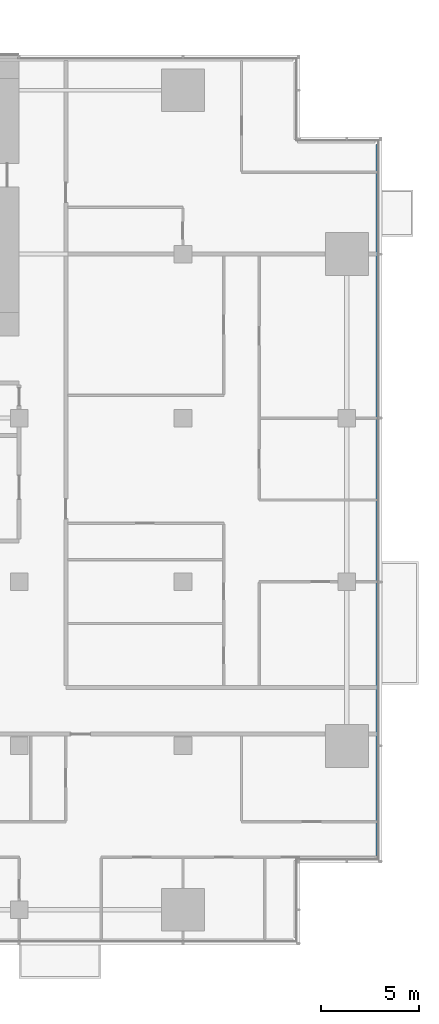
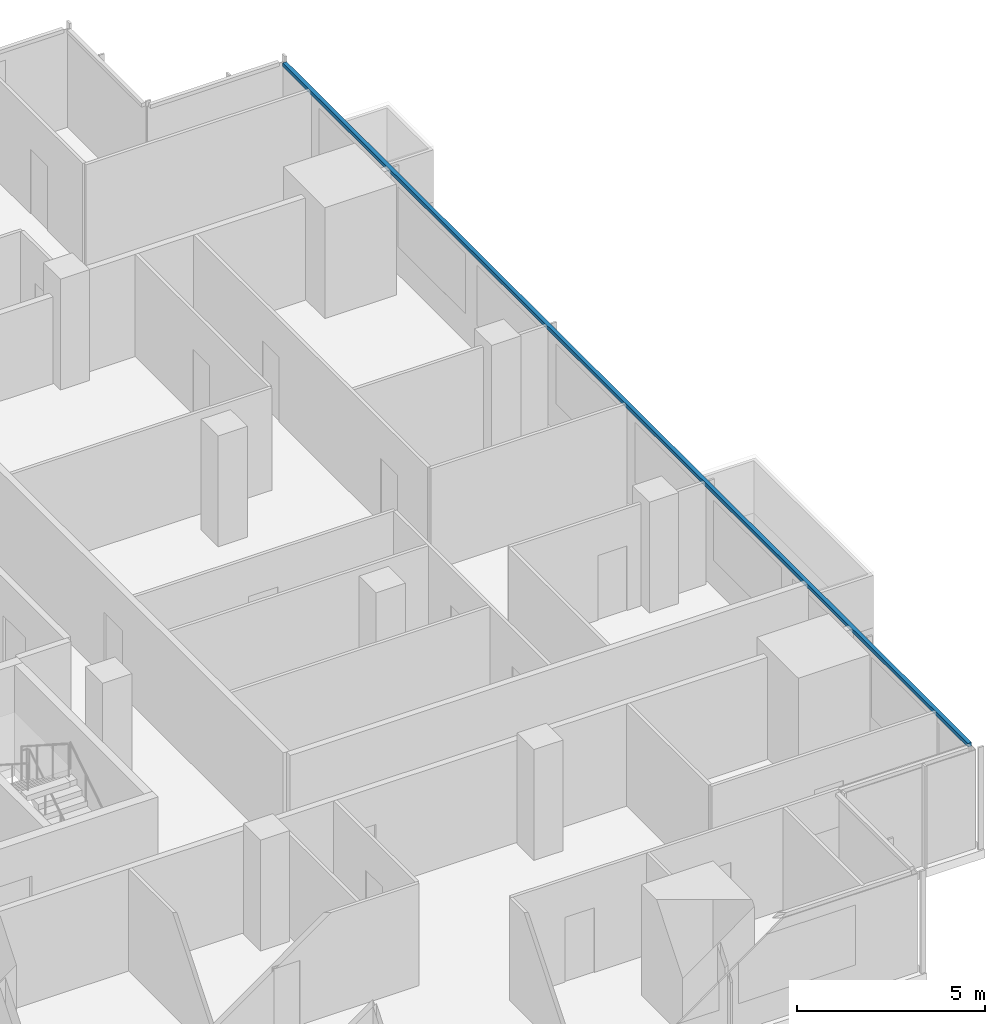
# One storey, part 12 of 26: 1 member, 1 element without a shape of its own.
"""IFC4 building model written with IfcOpenShell, lengths in metres."""

from ifc_helpers import new_model, si_unit, direction, frame, origin, origin_2d, place, context, subcontext, project, spatial, rectangle, extrude, material, material_profile, profile_set, type_object, element, aggregate, save


model = new_model("IFC4")

# Units and contexts
model_context = context("Model", 3, precision=1e-05, world=origin(), true_north=direction((0.0, 1.0)))
body_context = subcontext(model_context, "Body", "Model", "MODEL_VIEW")
ifc_project = project(units=[si_unit("LENGTHUNIT", "METRE"), si_unit("AREAUNIT", "SQUARE_METRE"), si_unit("VOLUMEUNIT", "CUBIC_METRE"), si_unit("PLANEANGLEUNIT", "RADIAN"), si_unit("MASSUNIT", "GRAM", prefix="KILO")], contexts=[model_context])

# Site, building, storey
site_placement = place(None, origin())
site = spatial("IfcSite", under=ifc_project, at=site_placement, CompositionType="ELEMENT")
building_placement = place(site_placement, origin())
building = spatial("IfcBuilding", under=site, at=building_placement, Name="Saffron Gate Tower", CompositionType="ELEMENT")
storey_placement = place(building_placement, frame((0.0, 0.0, 62.39990234375)))
storey = spatial("IfcBuildingStorey", under=building, at=storey_placement, Name="L14", CompositionType="ELEMENT", Elevation=62.39990234375)

# Curtain wall, member
ifc_material = material(Name="Aluminium, bronze anodised", Category="aluminium")
curtain_wall_type = type_object("IfcCurtainWallType", Name="CWS2 curtain wall side facades", PredefinedType="NOTDEFINED", material=ifc_material)
curtain_wall_placement = place(storey_placement, origin())
curtain_wall = element("IfcCurtainWall", 1, at=curtain_wall_placement, inside=storey, type_object=curtain_wall_type, Name="CWS2 run 4", PredefinedType="NOTDEFINED")
ifc_material_profile = material_profile(ifc_material, rectangle(XDim=0.1201171875, YDim=0.1201171875, at=origin_2d()))
ifc_profile_set = profile_set([ifc_material_profile], Name="Aluminium, bronze anodised")
member_type = type_object("IfcMemberType", Name="CWS2 head transom", PredefinedType="USERDEFINED", material=ifc_profile_set)
member_placement = place(storey_placement, frame((126.951904296875, 34.568115234375, 3.260009765625), z_axis=(0.0, 1.0, 0.0), x_axis=(-1.0, 0.0, 0.0)))
member = element("IfcMember", 2, at=member_placement, type_object=member_type, Name="CWS2 head transom", ObjectType="TRANSOM", PredefinedType="USERDEFINED", context=body_context, shape_type="SweptSolid", body=[
    extrude(rectangle(XDim=0.1201171875, YDim=0.1201171875, at=origin_2d()), origin(), (0.0, 0.0, 1.0), 36.4638671875),
])
aggregate(curtain_wall, [member])

save(model, "model.ifc")
